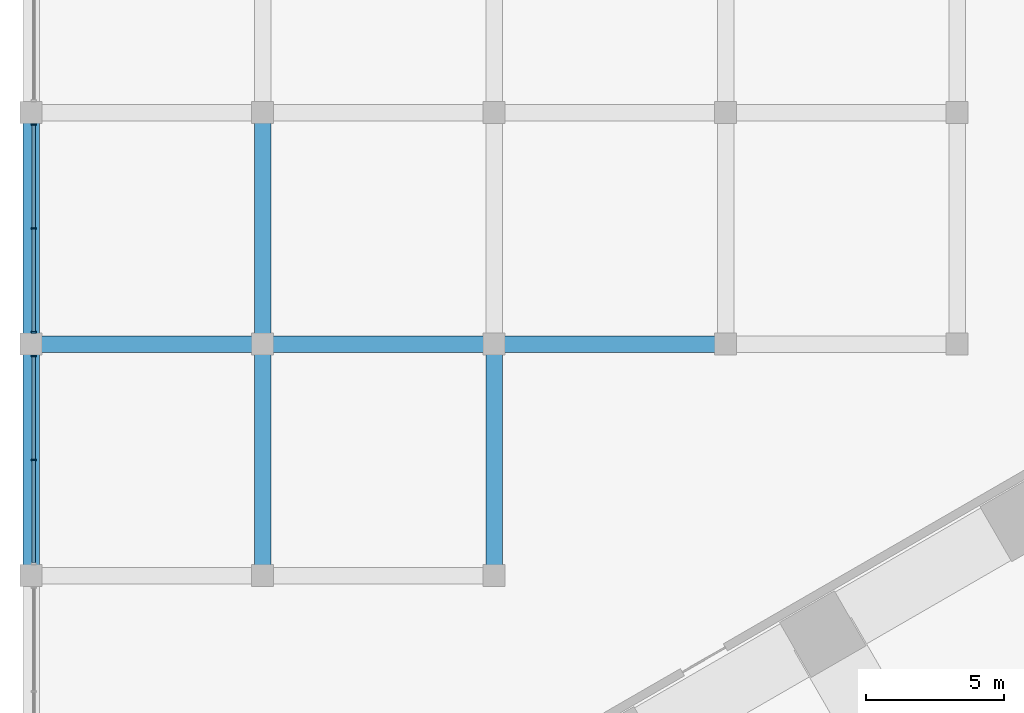
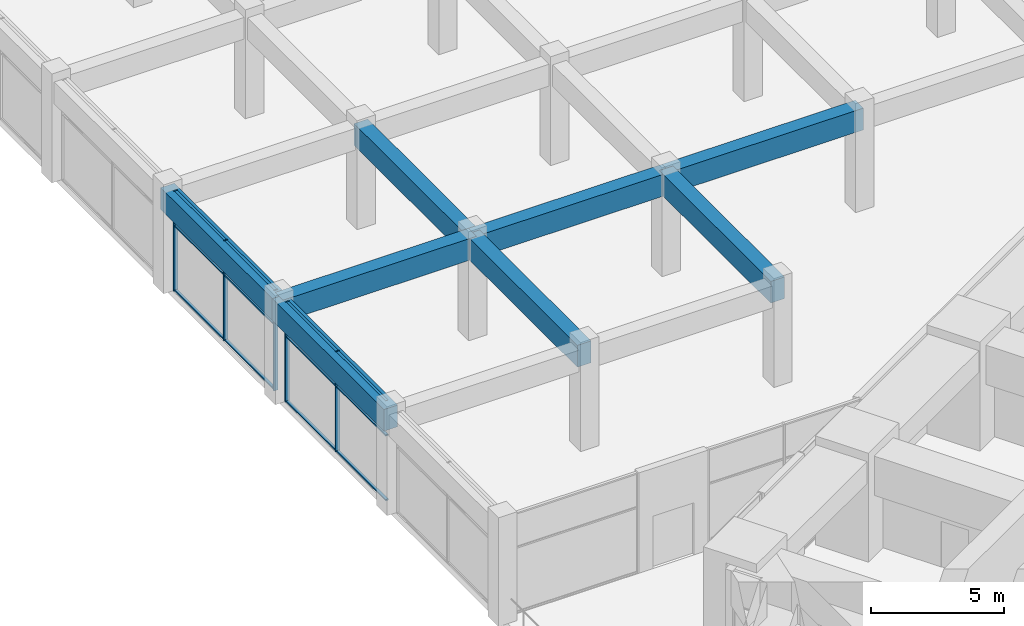
# One storey, part 7 of 33: 17 members, 8 beams, 2 elements without a shape of their own.
"""IFC4 building model written with IfcOpenShell, lengths in metres."""

from ifc_helpers import new_model, si_unit, direction, frame, origin, origin_2d, place, context, subcontext, project, spatial, rectangle, extrude, material, material_profile, profile_set, type_object, element, aggregate, save


model = new_model("IFC4")

# Units and contexts
model_context = context("Model", 3, precision=1e-05, world=origin(), true_north=direction((0.0, 1.0)))
body_context = subcontext(model_context, "Body", "Model", "MODEL_VIEW")
ifc_project = project(units=[si_unit("LENGTHUNIT", "METRE"), si_unit("AREAUNIT", "SQUARE_METRE"), si_unit("VOLUMEUNIT", "CUBIC_METRE"), si_unit("PLANEANGLEUNIT", "RADIAN"), si_unit("MASSUNIT", "GRAM", prefix="KILO")], contexts=[model_context])

# Site, building, storey
site_placement = place(None, origin())
site = spatial("IfcSite", under=ifc_project, at=site_placement, CompositionType="ELEMENT")
building_placement = place(site_placement, origin())
building = spatial("IfcBuilding", under=site, at=building_placement, Name="Impinga Residences", CompositionType="ELEMENT")
storey_placement = place(building_placement, frame((0.0, 0.0, 21.0)))
storey = spatial("IfcBuildingStorey", under=building, at=storey_placement, Name="L04", CompositionType="ELEMENT", Elevation=21.0)

# Curtain wall, members
ifc_material_1 = material(Name="Aluminium stick curtain wall", Category="aluminium")
curtain_wall_type = type_object("IfcCurtainWallType", Name="CW1 podium amenity curtain wall", PredefinedType="USERDEFINED", material=ifc_material_1)
curtain_wall_1_placement = place(storey_placement, origin())
curtain_wall_1 = element("IfcCurtainWall", 1, at=curtain_wall_1_placement, inside=storey, type_object=curtain_wall_type, Name="Curtain wall CW1 L04", ObjectType="STICK CURTAIN WALL", PredefinedType="USERDEFINED")
ifc_material_2 = material(Name="Aluminium mullion", Category="aluminium")
ifc_material_profile_1 = material_profile(ifc_material_2, rectangle(XDim=0.06005859375, YDim=0.179931640625, at=origin_2d()), Name="60x180 mullion")
ifc_profile_set_1 = profile_set([ifc_material_profile_1], Name="Aluminium mullion")
member_type_1 = type_object("IfcMemberType", Name="CW1-M mullion 60x180", PredefinedType="MULLION", material=ifc_profile_set_1)
member_1_placement = place(storey_placement, frame((-50.300048828125, 4.199951171875, 0.0), z_axis=(0.0, 0.0, 1.0), x_axis=(0.0, 1.0, 0.0)))
member_1 = element("IfcMember", 2, at=member_1_placement, type_object=member_type_1, Name="CW1 mullion 2", PredefinedType="MULLION", context=body_context, shape_type="SweptSolid", body=[
    extrude(rectangle(XDim=0.06005859375, YDim=0.179931640625, at=origin_2d()), origin(), (0.0, 0.0, 1.0), 4.60009765625),
])
member_2_placement = place(storey_placement, frame((-50.300048828125, 7.967041015625, 0.0), z_axis=(0.0, 0.0, 1.0), x_axis=(0.0, 1.0, 0.0)))
member_2 = element("IfcMember", 3, at=member_2_placement, type_object=member_type_1, Name="CW1 mullion 3", PredefinedType="MULLION", context=body_context, shape_type="SweptSolid", body=[
    extrude(rectangle(XDim=0.06005859375, YDim=0.179931640625, at=origin_2d()), origin(), (0.0, 0.0, 1.0), 4.60009765625),
])

curtain_wall_2_placement = place(storey_placement, origin())
curtain_wall_2 = element("IfcCurtainWall", 4, at=curtain_wall_2_placement, inside=storey, type_object=curtain_wall_type, Name="Curtain wall CW1 L04", ObjectType="STICK CURTAIN WALL", PredefinedType="USERDEFINED")
member_3_placement = place(storey_placement, frame((-50.300048828125, 8.8330078125, 0.0), z_axis=(0.0, 0.0, 1.0), x_axis=(0.0, 1.0, 0.0)))
member_3 = element("IfcMember", 5, at=member_3_placement, type_object=member_type_1, Name="CW1 mullion 1", PredefinedType="MULLION", context=body_context, shape_type="SweptSolid", body=[
    extrude(rectangle(XDim=0.06005859375, YDim=0.179931640625, at=origin_2d()), origin(), (0.0, 0.0, 1.0), 4.60009765625),
])
member_4_placement = place(storey_placement, frame((-50.300048828125, 12.60009765625, 0.0), z_axis=(0.0, 0.0, 1.0), x_axis=(0.0, 1.0, 0.0)))
member_4 = element("IfcMember", 6, at=member_4_placement, type_object=member_type_1, Name="CW1 mullion 2", PredefinedType="MULLION", context=body_context, shape_type="SweptSolid", body=[
    extrude(rectangle(XDim=0.06005859375, YDim=0.179931640625, at=origin_2d()), origin(), (0.0, 0.0, 1.0), 4.60009765625),
])
member_5_placement = place(storey_placement, frame((-50.300048828125, 16.366943359375, 0.0), z_axis=(0.0, 0.0, 1.0), x_axis=(0.0, 1.0, 0.0)))
member_5 = element("IfcMember", 7, at=member_5_placement, type_object=member_type_1, Name="CW1 mullion 3", PredefinedType="MULLION", context=body_context, shape_type="SweptSolid", body=[
    extrude(rectangle(XDim=0.06005859375, YDim=0.179931640625, at=origin_2d()), origin(), (0.0, 0.0, 1.0), 4.60009765625),
])

# Member
ifc_material_3 = material(Name="Aluminium transom", Category="aluminium")
ifc_material_profile_2 = material_profile(ifc_material_3, rectangle(XDim=0.06005859375, YDim=0.1201171875, at=origin_2d()), Name="60x120 transom")
ifc_profile_set_2 = profile_set([ifc_material_profile_2], Name="Aluminium transom")
member_type_2 = type_object("IfcMemberType", Name="CW1-T transom 60x120", PredefinedType="USERDEFINED", material=ifc_profile_set_2)
member_6_placement = place(storey_placement, frame((-50.300048828125, 0.462890625, 0.030029296875), z_axis=(0.0, 1.0, 0.0), x_axis=(0.0, 0.0, 1.0)))
member_6 = element("IfcMember", 8, at=member_6_placement, type_object=member_type_2, Name="CW1 transom 1.1", ObjectType="TRANSOM", PredefinedType="USERDEFINED", context=body_context, shape_type="SweptSolid", body=[
    extrude(rectangle(XDim=0.06005859375, YDim=0.1201171875, at=origin_2d()), origin(), (0.0, 0.0, 1.0), 3.70703125),
])

member_7_placement = place(storey_placement, frame((-50.300048828125, 0.462890625, 3.0), z_axis=(0.0, 1.0, 0.0), x_axis=(0.0, 0.0, 1.0)))
member_7 = element("IfcMember", 9, at=member_7_placement, type_object=member_type_2, Name="CW1 transom 1.2", ObjectType="TRANSOM", PredefinedType="USERDEFINED", context=body_context, shape_type="SweptSolid", body=[
    extrude(rectangle(XDim=0.06005859375, YDim=0.1201171875, at=origin_2d()), origin(), (0.0, 0.0, 1.0), 3.70703125),
])

member_8_placement = place(storey_placement, frame((-50.300048828125, 0.462890625, 4.570068359375), z_axis=(0.0, 1.0, 0.0), x_axis=(0.0, 0.0, 1.0)))
member_8 = element("IfcMember", 10, at=member_8_placement, type_object=member_type_2, Name="CW1 transom 1.3", ObjectType="TRANSOM", PredefinedType="USERDEFINED", context=body_context, shape_type="SweptSolid", body=[
    extrude(rectangle(XDim=0.06005859375, YDim=0.1201171875, at=origin_2d()), origin(), (0.0, 0.0, 1.0), 3.70703125),
])

member_9_placement = place(storey_placement, frame((-50.300048828125, 4.22998046875, 0.030029296875), z_axis=(0.0, 1.0, 0.0), x_axis=(0.0, 0.0, 1.0)))
member_9 = element("IfcMember", 11, at=member_9_placement, type_object=member_type_2, Name="CW1 transom 2.1", ObjectType="TRANSOM", PredefinedType="USERDEFINED", context=body_context, shape_type="SweptSolid", body=[
    extrude(rectangle(XDim=0.06005859375, YDim=0.1201171875, at=origin_2d()), origin(), (0.0, 0.0, 1.0), 3.70703125),
])

member_10_placement = place(storey_placement, frame((-50.300048828125, 4.22998046875, 3.0), z_axis=(0.0, 1.0, 0.0), x_axis=(0.0, 0.0, 1.0)))
member_10 = element("IfcMember", 12, at=member_10_placement, type_object=member_type_2, Name="CW1 transom 2.2", ObjectType="TRANSOM", PredefinedType="USERDEFINED", context=body_context, shape_type="SweptSolid", body=[
    extrude(rectangle(XDim=0.06005859375, YDim=0.1201171875, at=origin_2d()), origin(), (0.0, 0.0, 1.0), 3.70703125),
])

member_11_placement = place(storey_placement, frame((-50.300048828125, 4.22998046875, 4.570068359375), z_axis=(0.0, 1.0, 0.0), x_axis=(0.0, 0.0, 1.0)))
member_11 = element("IfcMember", 13, at=member_11_placement, type_object=member_type_2, Name="CW1 transom 2.3", ObjectType="TRANSOM", PredefinedType="USERDEFINED", context=body_context, shape_type="SweptSolid", body=[
    extrude(rectangle(XDim=0.06005859375, YDim=0.1201171875, at=origin_2d()), origin(), (0.0, 0.0, 1.0), 3.70703125),
])

aggregate(curtain_wall_1, [member_1, member_2, member_6, member_7, member_8, member_9, member_10, member_11])

member_12_placement = place(storey_placement, frame((-50.300048828125, 8.863037109375, 0.030029296875), z_axis=(0.0, 1.0, 0.0), x_axis=(0.0, 0.0, 1.0)))
member_12 = element("IfcMember", 14, at=member_12_placement, type_object=member_type_2, Name="CW1 transom 1.1", ObjectType="TRANSOM", PredefinedType="USERDEFINED", context=body_context, shape_type="SweptSolid", body=[
    extrude(rectangle(XDim=0.06005859375, YDim=0.1201171875, at=origin_2d()), origin(), (0.0, 0.0, 1.0), 3.70703125),
])

member_13_placement = place(storey_placement, frame((-50.300048828125, 8.863037109375, 3.0), z_axis=(0.0, 1.0, 0.0), x_axis=(0.0, 0.0, 1.0)))
member_13 = element("IfcMember", 15, at=member_13_placement, type_object=member_type_2, Name="CW1 transom 1.2", ObjectType="TRANSOM", PredefinedType="USERDEFINED", context=body_context, shape_type="SweptSolid", body=[
    extrude(rectangle(XDim=0.06005859375, YDim=0.1201171875, at=origin_2d()), origin(), (0.0, 0.0, 1.0), 3.70703125),
])

member_14_placement = place(storey_placement, frame((-50.300048828125, 8.863037109375, 4.570068359375), z_axis=(0.0, 1.0, 0.0), x_axis=(0.0, 0.0, 1.0)))
member_14 = element("IfcMember", 16, at=member_14_placement, type_object=member_type_2, Name="CW1 transom 1.3", ObjectType="TRANSOM", PredefinedType="USERDEFINED", context=body_context, shape_type="SweptSolid", body=[
    extrude(rectangle(XDim=0.06005859375, YDim=0.1201171875, at=origin_2d()), origin(), (0.0, 0.0, 1.0), 3.70703125),
])

member_15_placement = place(storey_placement, frame((-50.300048828125, 12.6298828125, 0.030029296875), z_axis=(0.0, 1.0, 0.0), x_axis=(0.0, 0.0, 1.0)))
member_15 = element("IfcMember", 17, at=member_15_placement, type_object=member_type_2, Name="CW1 transom 2.1", ObjectType="TRANSOM", PredefinedType="USERDEFINED", context=body_context, shape_type="SweptSolid", body=[
    extrude(rectangle(XDim=0.06005859375, YDim=0.1201171875, at=origin_2d()), origin(), (0.0, 0.0, 1.0), 3.70703125),
])

member_16_placement = place(storey_placement, frame((-50.300048828125, 12.6298828125, 3.0), z_axis=(0.0, 1.0, 0.0), x_axis=(0.0, 0.0, 1.0)))
member_16 = element("IfcMember", 18, at=member_16_placement, type_object=member_type_2, Name="CW1 transom 2.2", ObjectType="TRANSOM", PredefinedType="USERDEFINED", context=body_context, shape_type="SweptSolid", body=[
    extrude(rectangle(XDim=0.06005859375, YDim=0.1201171875, at=origin_2d()), origin(), (0.0, 0.0, 1.0), 3.70703125),
])

member_17_placement = place(storey_placement, frame((-50.300048828125, 12.6298828125, 4.570068359375), z_axis=(0.0, 1.0, 0.0), x_axis=(0.0, 0.0, 1.0)))
member_17 = element("IfcMember", 19, at=member_17_placement, type_object=member_type_2, Name="CW1 transom 2.3", ObjectType="TRANSOM", PredefinedType="USERDEFINED", context=body_context, shape_type="SweptSolid", body=[
    extrude(rectangle(XDim=0.06005859375, YDim=0.1201171875, at=origin_2d()), origin(), (0.0, 0.0, 1.0), 3.70703125),
])

aggregate(curtain_wall_2, [member_3, member_4, member_5, member_12, member_13, member_14, member_15, member_16, member_17])

# Beams
ifc_material_4 = material(Name="Concrete C60/75", Category="concrete")
ifc_material_profile_3 = material_profile(ifc_material_4, rectangle(XDim=0.60009765625, YDim=1.0, at=origin_2d()), Name="RC 600x1000")
ifc_profile_set_3 = profile_set([ifc_material_profile_3], Name="Concrete C60/75")
beam_type = type_object("IfcBeamType", Name="PB2 600x1000 podium beam", PredefinedType="BEAM", material=ifc_profile_set_3)
for number, where, z_axis, x_axis, name in (
    (20, (-50.39990234375, 8.39990234375, 4.10009765625), (1.0, 0.0, 0.0), (0.0, 1.0, 0.0), "Beam PB2 G/1-2 level L05"),
    (21, (-42.0, 8.39990234375, 4.10009765625), (1.0, 0.0, 0.0), (0.0, 1.0, 0.0), "Beam PB2 G/2-3 level L05"),
):
    element("IfcBeam", number, at=place(storey_placement, frame(where, z_axis=z_axis, x_axis=x_axis)), inside=storey, type_object=beam_type, Name=name, PredefinedType="BEAM", context=body_context, shape_type="SweptSolid", body=[
        extrude(rectangle(XDim=0.60009765625, YDim=1.0, at=origin_2d()), origin(), (0.0, 0.0, 1.0), 8.39990234375),
    ])
beam_1_placement = place(storey_placement, frame((-33.60009765625, 8.39990234375, 4.10009765625), z_axis=(1.0, 0.0, 0.0), x_axis=(0.0, 1.0, 0.0)))
element("IfcBeam", 22, at=beam_1_placement, inside=storey, type_object=beam_type, Name="Beam PB2 G/3-4 level L05", PredefinedType="BEAM", context=body_context, shape_type="SweptSolid", body=[
    extrude(rectangle(XDim=0.60009765625, YDim=1.0, at=origin_2d()), origin(), (0.0, 0.0, 1.0), 8.400146484375),
])
beam_2_placement = place(storey_placement, frame((-50.39990234375, 0.0, 4.10009765625), z_axis=(0.0, 1.0, 0.0), x_axis=(-1.0, 0.0, 0.0)))
element("IfcBeam", 23, at=beam_2_placement, inside=storey, type_object=beam_type, Name="Beam PB2 1/F-G level L05", PredefinedType="BEAM", context=body_context, shape_type="SweptSolid", body=[
    extrude(rectangle(XDim=0.60009765625, YDim=1.0, at=origin_2d()), origin(), (0.0, 0.0, 1.0), 8.39990234375),
])
beam_3_placement = place(storey_placement, frame((-50.39990234375, 8.39990234375, 4.10009765625), z_axis=(0.0, 1.0, 0.0), x_axis=(-1.0, 0.0, 0.0)))
element("IfcBeam", 24, at=beam_3_placement, inside=storey, type_object=beam_type, Name="Beam PB2 1/G-H level L05", PredefinedType="BEAM", context=body_context, shape_type="SweptSolid", body=[
    extrude(rectangle(XDim=0.60009765625, YDim=1.0, at=origin_2d()), origin(), (0.0, 0.0, 1.0), 8.400146484375),
])
beam_4_placement = place(storey_placement, frame((-42.0, 0.0, 4.10009765625), z_axis=(0.0, 1.0, 0.0), x_axis=(-1.0, 0.0, 0.0)))
element("IfcBeam", 25, at=beam_4_placement, inside=storey, type_object=beam_type, Name="Beam PB2 2/F-G level L05", PredefinedType="BEAM", context=body_context, shape_type="SweptSolid", body=[
    extrude(rectangle(XDim=0.60009765625, YDim=1.0, at=origin_2d()), origin(), (0.0, 0.0, 1.0), 8.39990234375),
])
beam_5_placement = place(storey_placement, frame((-42.0, 8.39990234375, 4.10009765625), z_axis=(0.0, 1.0, 0.0), x_axis=(-1.0, 0.0, 0.0)))
element("IfcBeam", 26, at=beam_5_placement, inside=storey, type_object=beam_type, Name="Beam PB2 2/G-H level L05", PredefinedType="BEAM", context=body_context, shape_type="SweptSolid", body=[
    extrude(rectangle(XDim=0.60009765625, YDim=1.0, at=origin_2d()), origin(), (0.0, 0.0, 1.0), 8.400146484375),
])
beam_6_placement = place(storey_placement, frame((-33.60009765625, 0.0, 4.10009765625), z_axis=(0.0, 1.0, 0.0), x_axis=(-1.0, 0.0, 0.0)))
element("IfcBeam", 27, at=beam_6_placement, inside=storey, type_object=beam_type, Name="Beam PB2 3/F-G level L05", PredefinedType="BEAM", context=body_context, shape_type="SweptSolid", body=[
    extrude(rectangle(XDim=0.60009765625, YDim=1.0, at=origin_2d()), origin(), (0.0, 0.0, 1.0), 8.39990234375),
])

save(model, "model.ifc")
